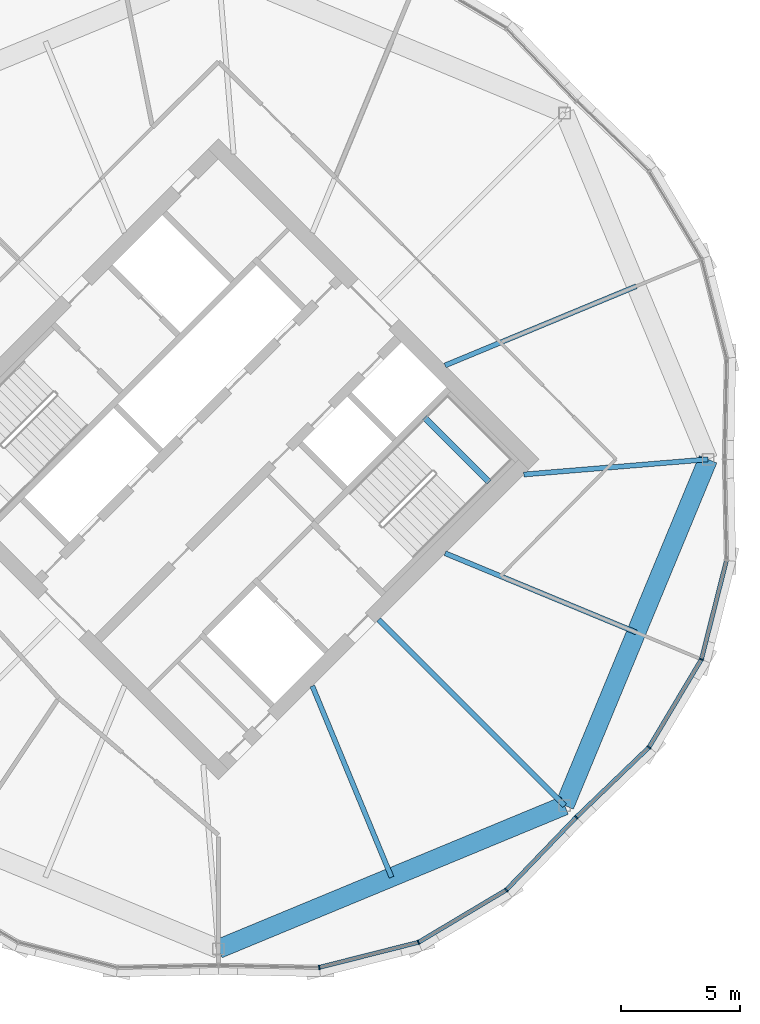
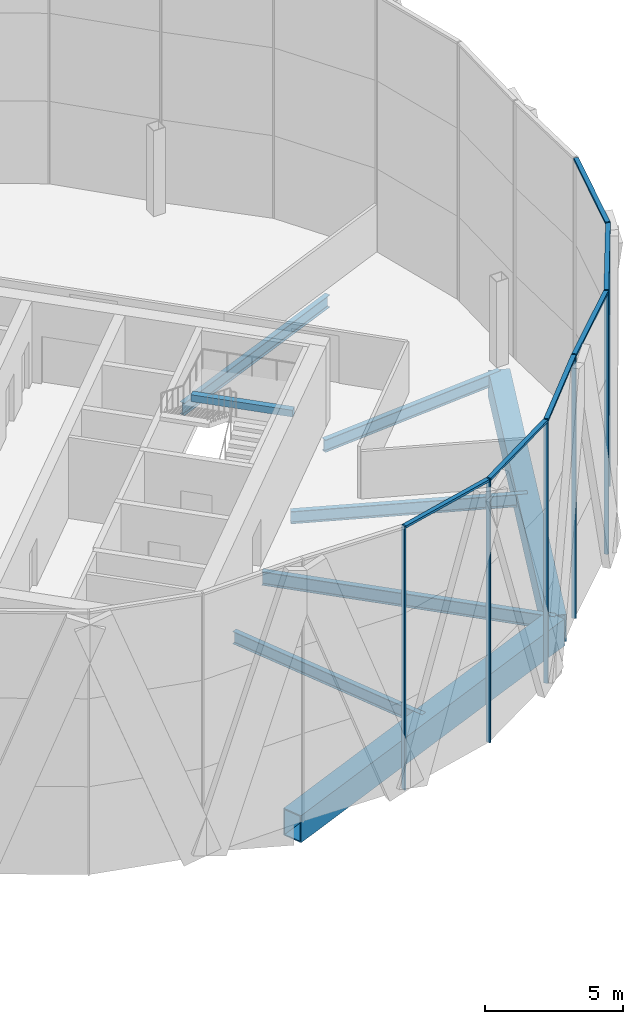
# One storey, part 11 of 25: 12 members, 8 beams, 2 elements without a shape of their own.
"""IFC4 building model written with IfcOpenShell, lengths in metres."""

import ifcopenshell
import ifcopenshell.guid

model = None  # the IFC model being written
_history = None  # IfcOwnerHistory: only IFC2X3 demands one
_inside = {}  # id of a spatial element -> (the spatial element, [elements in it])
_under = {}  # id of a project, library or spatial element -> (it, [spatial elements below it])
_declared = {}  # id of a project -> (the project, [libraries it declares])
_typed = {}  # id of a type object -> (the type object, [elements of that type])
_made_of = {}  # id of a material, layer set ... -> (it, [elements and type objects made of it])


def new_model(schema):
    """Start an empty IFC model of exactly this schema.

    Asked for "IFC4X3", IfcOpenShell would pick the latest addendum, in which some entities
    have other attributes; the version numbers below select the first issue.
    IFC2X3 requires an IfcOwnerHistory on every rooted entity: one is made here for all.
    """
    global model, _history
    if schema == "IFC4X3":
        model = ifcopenshell.file(schema_version=(4, 3, 0, 0))
    else:
        model = ifcopenshell.file(schema=schema)
    _inside.clear()
    _under.clear()
    _declared.clear()
    _typed.clear()
    _made_of.clear()
    _history = None
    if model.schema == "IFC2X3":
        org = make("IfcOrganization", Name="unknown")
        user = make(
            "IfcPersonAndOrganization",
            ThePerson=make("IfcPerson", FamilyName="unknown"),
            TheOrganization=org,
        )
        app = make(
            "IfcApplication",
            ApplicationDeveloper=org,
            Version="unknown",
            ApplicationFullName="unknown",
            ApplicationIdentifier="unknown",
        )
        _history = make(
            "IfcOwnerHistory",
            OwningUser=user,
            OwningApplication=app,
            ChangeAction="ADDED",
            CreationDate=0,
        )
    return model


def make(cls, **values):
    """One entity of the class cls with the attributes given. An attribute that is None is left unset."""
    return model.create_entity(
        cls, **{name: value for name, value in values.items() if value is not None}
    )


def rooted(cls, **values):
    """An entity with a GlobalId (a new one), such as an element, a storey or a relation."""
    return make(cls, GlobalId=ifcopenshell.guid.new(), OwnerHistory=_history, **values)


def si_unit(unit_type, name, prefix=None):
    """IfcSIUnit, for example si_unit("LENGTHUNIT", "METRE", prefix="MILLI")."""
    return make("IfcSIUnit", UnitType=unit_type, Prefix=prefix, Name=name)


def assignment(units):
    """IfcUnitAssignment: the units of a project."""
    return None if units is None else make("IfcUnitAssignment", Units=units)


def point(xyz):
    """IfcCartesianPoint."""
    return None if xyz is None else make("IfcCartesianPoint", Coordinates=xyz)


def direction(xyz):
    """IfcDirection."""
    return None if xyz is None else make("IfcDirection", DirectionRatios=xyz)


def frame(location, z_axis=None, x_axis=None):
    """IfcAxis2Placement3D, a coordinate frame: its origin and axes. An axis left out is left unset."""
    return make(
        "IfcAxis2Placement3D",
        Location=point(location),
        Axis=direction(z_axis),
        RefDirection=direction(x_axis),
    )


def frame_2d(location, x_axis=None):
    """IfcAxis2Placement2D, a coordinate frame in the plane: its origin and x axis."""
    return make(
        "IfcAxis2Placement2D", Location=point(location), RefDirection=direction(x_axis)
    )


def origin():
    """The frame at (0, 0, 0) with its axes left unset."""
    return frame((0.0, 0.0, 0.0))


def origin_2d():
    """The frame at (0, 0) in the plane with its x axis left unset."""
    return frame_2d((0.0, 0.0))


def place(relative_to, where):
    """IfcLocalPlacement: puts the frame where relative to a parent placement (None: the world)."""
    return make(
        "IfcLocalPlacement", PlacementRelTo=relative_to, RelativePlacement=where
    )


def context(
    kind, dimensions, precision=None, world=None, true_north=None, identifier=None
):
    """IfcGeometricRepresentationContext, for example the 3D "Model" context."""
    return make(
        "IfcGeometricRepresentationContext",
        ContextIdentifier=identifier,
        ContextType=kind,
        CoordinateSpaceDimension=dimensions,
        Precision=precision,
        WorldCoordinateSystem=world,
        TrueNorth=true_north,
    )


def subcontext(parent, identifier, kind, view, scale=None):
    """IfcGeometricRepresentationSubContext, for example "Body" below "Model"."""
    return make(
        "IfcGeometricRepresentationSubContext",
        ContextIdentifier=identifier,
        ContextType=kind,
        ParentContext=parent,
        TargetScale=scale,
        TargetView=view,
    )


def project(units=None, contexts=None):
    """IfcProject with its units and contexts."""
    return rooted(
        "IfcProject",
        Name="project",
        RepresentationContexts=contexts,
        UnitsInContext=assignment(units),
    )


def spatial(cls, under=None, at=None, **own):
    """A site, building, storey or space (cls), placed at a placement, below another one or the project."""
    s = rooted(cls, ObjectPlacement=at, **own)
    if under is not None:
        _under.setdefault(under.id(), (under, []))[1].append(s)
    return s


def profile(cls, at=None, kind="AREA", **sizes):
    """A parametric profile (cls). Its sizes go by their IFC names, for example OverallWidth=200.0."""
    return make(cls, ProfileType=kind, Position=at, **sizes)


def rectangle(**sizes):
    """IfcRectangleProfileDef."""
    return profile("IfcRectangleProfileDef", **sizes)


def hollow_rectangle(**sizes):
    """IfcRectangleHollowProfileDef."""
    return profile("IfcRectangleHollowProfileDef", **sizes)


def i_section(**sizes):
    """IfcIShapeProfileDef."""
    return profile("IfcIShapeProfileDef", **sizes)


def extrude(swept, where, along, depth):
    """IfcExtrudedAreaSolid: the profile swept, set in the frame where, extruded along a direction by depth."""
    return make(
        "IfcExtrudedAreaSolid",
        SweptArea=swept,
        Position=where,
        ExtrudedDirection=direction(along),
        Depth=depth,
    )


def shape(context_of_items, identifier, shape_type, items):
    """IfcShapeRepresentation: the items that make up one representation, for example the "Body"."""
    return make(
        "IfcShapeRepresentation",
        ContextOfItems=context_of_items,
        RepresentationIdentifier=identifier,
        RepresentationType=shape_type,
        Items=items,
    )


def material(Name=None, Category=None):
    """IfcMaterial."""
    return make("IfcMaterial", Name=Name, Category=Category)


def material_profile(
    of_material, cross_section, Name=None, Category=None, Priority=None
):
    """IfcMaterialProfile: a cross section and its material."""
    return make(
        "IfcMaterialProfile",
        Name=Name,
        Material=of_material,
        Profile=cross_section,
        Priority=Priority,
        Category=Category,
    )


def profile_set(profiles, Name=None, composite=None):
    """IfcMaterialProfileSet."""
    return make(
        "IfcMaterialProfileSet",
        Name=Name,
        MaterialProfiles=profiles,
        CompositeProfile=composite,
    )


def made_of(thing, what):
    """Note that an element or type object is made of a material, layer set ...; save() writes the relation."""
    if what is not None:
        _made_of.setdefault(what.id(), (what, []))[1].append(thing)
    return thing


def type_object(cls, material=None, **own):
    """A type object (cls), such as IfcWallType, which elements share."""
    return made_of(rooted(cls, **own), material)


def element(
    cls,
    number,
    at=None,
    inside=None,
    cuts=None,
    type_object=None,
    material=None,
    context=None,
    identifier="Body",
    shape_type=None,
    held_by="IfcProductDefinitionShape",
    body=None,
    shapes=None,
    **own,
):
    """One element of the class cls, such as IfcWall. Its Tag is "e" and its number.

    at: its placement. inside: the storey or other place that contains it. cuts: it is an
    opening in that element (IfcRelVoidsElement). A single representation is given by context,
    identifier, shape_type and body (its items); several are given by shapes. held_by: the class
    of the entity that holds the representations. save() writes the other relations.
    """
    e = rooted(cls, Tag="e%d" % number, ObjectPlacement=at, **own)
    if body is not None:
        shapes = [shape(context, identifier, shape_type, body)]
    if shapes is not None:
        e.Representation = make(held_by, Representations=shapes)
    if inside is not None:
        _inside.setdefault(inside.id(), (inside, []))[1].append(e)
    if cuts is not None:
        rooted(
            "IfcRelVoidsElement", RelatingBuildingElement=cuts, RelatedOpeningElement=e
        )
    if type_object is not None:
        _typed.setdefault(type_object.id(), (type_object, []))[1].append(e)
    return made_of(e, material)


def aggregate(whole, parts):
    """IfcRelAggregates: a whole, such as a stair, and the parts it consists of."""
    return rooted("IfcRelAggregates", RelatingObject=whole, RelatedObjects=parts)


def save(model, path):
    """Write the relations noted so far, then the file.

    IfcRelAggregates (storeys below a building ...), IfcRelContainedInSpatialStructure (elements
    in a storey), IfcRelDefinesByType, IfcRelAssociatesMaterial and IfcRelDeclares: one each for
    every whole, place, type object, material and project.
    """
    for whole, parts in _under.values():
        aggregate(whole, parts)
    for where, things in _inside.values():
        rooted(
            "IfcRelContainedInSpatialStructure",
            RelatedElements=things,
            RelatingStructure=where,
        )
    for kind, things in _typed.values():
        rooted("IfcRelDefinesByType", RelatedObjects=things, RelatingType=kind)
    for what, things in _made_of.values():
        rooted("IfcRelAssociatesMaterial", RelatedObjects=things, RelatingMaterial=what)
    for by, libraries in _declared.values():
        rooted("IfcRelDeclares", RelatingContext=by, RelatedDefinitions=libraries)
    model.write(path)


model = new_model("IFC4")

# Units and contexts
model_context = context("Model", 3, precision=1e-05, world=origin(), true_north=direction((0.0, 1.0)))
body_context = subcontext(model_context, "Body", "Model", "MODEL_VIEW")
ifc_project = project(units=[si_unit("LENGTHUNIT", "METRE"), si_unit("AREAUNIT", "SQUARE_METRE"), si_unit("VOLUMEUNIT", "CUBIC_METRE"), si_unit("PLANEANGLEUNIT", "RADIAN"), si_unit("MASSUNIT", "GRAM", prefix="KILO")], contexts=[model_context])

# Site, building, storey
site_placement = place(None, origin())
site = spatial("IfcSite", under=ifc_project, at=site_placement, CompositionType="ELEMENT")
building_placement = place(site_placement, origin())
building = spatial("IfcBuilding", under=site, at=building_placement, Name="Ogive Gate Towers", CompositionType="ELEMENT")
storey_placement = place(building_placement, frame((0.0, 0.0, 196.800048828125)))
storey = spatial("IfcBuildingStorey", under=building, at=storey_placement, Name="L47", CompositionType="ELEMENT", Elevation=196.800048828125)

# Beams
ifc_material_1 = material(Name="Steel SM460", Category="steel")
ifc_material_profile_1 = material_profile(ifc_material_1, hollow_rectangle(XDim=0.800048828125, YDim=1.199951171875, WallThickness=0.050048828125, at=origin_2d()), Name="BX 1200x800x50")
ifc_profile_set_1 = profile_set([ifc_material_profile_1], Name="Steel SM460")
beam_type_1 = type_object("IfcBeamType", Name="Edge girder BX 1200x800x50", PredefinedType="BEAM", material=ifc_profile_set_1)
for number, where, z_axis, x_axis, name in (
    (1, (36.0, -20.52001953125, -0.900146484375), (0.923877006731, 0.38268953008, 0.0), (-0.38268953008, 0.923877006731, 0.0), "T2/L47/SBM018"),
    (2, (50.509765625, -14.509765625, -0.900146484375), (0.38268953008, 0.923877006731, 0.0), (-0.923877006731, 0.38268953008, 0.0), "T2/L47/SBM019"),
):
    element("IfcBeam", number, at=place(storey_placement, frame(where, z_axis=z_axis, x_axis=x_axis)), inside=storey, type_object=beam_type_1, Name=name, PredefinedType="BEAM", context=body_context, shape_type="SweptSolid", body=[
        extrude(hollow_rectangle(XDim=0.800048828125, YDim=1.199951171875, WallThickness=0.050048828125, at=origin_2d()), origin(), (0.0, 0.0, 1.0), 15.705322265625),
    ])
ifc_material_2 = material(Name="Concrete C40/50", Category="concrete")
ifc_material_profile_2 = material_profile(ifc_material_2, rectangle(XDim=0.25, YDim=0.300048828125, at=origin_2d()), Name="RC 250x300")
ifc_profile_set_2 = profile_set([ifc_material_profile_2], Name="Concrete C40/50")
beam_type_2 = type_object("IfcBeamType", Name="Landing bearer RC 250x300", PredefinedType="BEAM", material=ifc_profile_set_2)
beam_1_placement = place(storey_placement, frame((47.349609375, -0.9541015625, 1.599853515625), z_axis=(-0.707106781187, 0.707106781187, 0.0), x_axis=(-0.707106781187, -0.707106781187, 0.0)))
element("IfcBeam", 3, at=beam_1_placement, inside=storey, type_object=beam_type_2, Name="T2 L47 stair 2 landing bearer 1", PredefinedType="BEAM", context=body_context, shape_type="SweptSolid", body=[
    extrude(rectangle(XDim=0.25, YDim=0.300048828125, at=origin_2d()), origin(), (0.0, 0.0, 1.0), 3.824951171875),
])
ifc_material_3 = material(Name="Steel SM355", Category="steel")
ifc_material_profile_3 = material_profile(ifc_material_3, i_section(OverallWidth=0.2099609375, OverallDepth=0.550048828125, WebThickness=0.010986328125, FlangeThickness=0.01708984375, FilletRadius=0.02392578125, at=origin_2d()), Name="IPE 550")
ifc_profile_set_3 = profile_set([ifc_material_profile_3], Name="Steel SM355")
beam_type_3 = type_object("IfcBeamType", Name="Radial floor beam IPE 550", PredefinedType="BEAM", material=ifc_profile_set_3)
for number, where, z_axis, x_axis, name in (
    (4, (39.93505859375, -9.5, -0.574951171875), (0.382678218882, -0.92388169199, 0.0), (0.92388169199, 0.382678218882, 0.0), "T2/L47/SBM004"),
    (5, (45.5, -3.93505859375, -0.574951171875), (0.92388169199, -0.382678218882, 0.0), (0.382678218882, 0.92388169199, 0.0), "T2/L47/SBM006"),
):
    element("IfcBeam", number, at=place(storey_placement, frame(where, z_axis=z_axis, x_axis=x_axis)), inside=storey, type_object=beam_type_3, Name=name, PredefinedType="BEAM", context=body_context, shape_type="SweptSolid", body=[
        extrude(i_section(OverallWidth=0.2099609375, OverallDepth=0.550048828125, WebThickness=0.010986328125, FlangeThickness=0.01708984375, FilletRadius=0.02392578125, at=origin_2d()), origin(), (0.0, 0.0, 1.0), 8.67529296875),
    ])
beam_2_placement = place(storey_placement, frame((48.798583984375, -0.636474609375, -0.574951171875), z_axis=(0.996619898218, 0.082150949336, 0.0), x_axis=(-0.082150949336, 0.996619898218, 0.0)))
element("IfcBeam", 6, at=beam_2_placement, inside=storey, type_object=beam_type_3, Name="T2/L47/SBM007", PredefinedType="BEAM", context=body_context, shape_type="SweptSolid", body=[
    extrude(i_section(OverallWidth=0.2099609375, OverallDepth=0.550048828125, WebThickness=0.010986328125, FlangeThickness=0.01708984375, FilletRadius=0.02392578125, at=origin_2d()), origin(), (0.0, 0.0, 1.0), 7.74755859375),
])
beam_3_placement = place(storey_placement, frame((45.5, 3.93505859375, -0.574951171875), z_axis=(0.92388169199, 0.382678218882, 0.0), x_axis=(-0.382678218882, 0.92388169199, 0.0)))
element("IfcBeam", 7, at=beam_3_placement, inside=storey, type_object=beam_type_3, Name="T2/L47/SBM008", PredefinedType="BEAM", context=body_context, shape_type="SweptSolid", body=[
    extrude(i_section(OverallWidth=0.2099609375, OverallDepth=0.550048828125, WebThickness=0.010986328125, FlangeThickness=0.01708984375, FilletRadius=0.02392578125, at=origin_2d()), origin(), (0.0, 0.0, 1.0), 8.67529296875),
])
ifc_material_profile_4 = material_profile(ifc_material_3, i_section(OverallWidth=0.219970703125, OverallDepth=0.60009765625, WebThickness=0.011962890625, FlangeThickness=0.01904296875, FilletRadius=0.02392578125, at=origin_2d()), Name="IPE 600")
ifc_profile_set_4 = profile_set([ifc_material_profile_4], Name="Steel SM355")
beam_type_4 = type_object("IfcBeamType", Name="Radial floor beam IPE 600", PredefinedType="BEAM", material=ifc_profile_set_4)
beam_4_placement = place(storey_placement, frame((42.717529296875, -6.717529296875, -0.60009765625), z_axis=(0.707106781187, -0.707106781187, 0.0), x_axis=(0.707106781187, 0.707106781187, 0.0)))
element("IfcBeam", 8, at=beam_4_placement, inside=storey, type_object=beam_type_4, Name="T2/L47/SBM005", PredefinedType="BEAM", context=body_context, shape_type="SweptSolid", body=[
    extrude(i_section(OverallWidth=0.219970703125, OverallDepth=0.60009765625, WebThickness=0.011962890625, FlangeThickness=0.01904296875, FilletRadius=0.02392578125, at=origin_2d()), origin(), (0.0, 0.0, 1.0), 11.019775390625),
])

# Curtain wall, members
ifc_material_4 = material(Name="Pale metal aluminium", Category="aluminium")
curtain_wall_type = type_object("IfcCurtainWallType", Name="Tower unitised wall, high zone", PredefinedType="NOTDEFINED", material=ifc_material_4)
curtain_wall_1_placement = place(storey_placement, origin())
curtain_wall_1 = element("IfcCurtainWall", 9, at=curtain_wall_1_placement, inside=storey, type_object=curtain_wall_type, Name="CW2 T2 ECW07", PredefinedType="NOTDEFINED")
ifc_material_profile_5 = material_profile(ifc_material_4, rectangle(XDim=0.179931640625, YDim=0.06005859375, at=origin_2d()), Name="60 x 180 aluminium box")
ifc_profile_set_5 = profile_set([ifc_material_profile_5], Name="Pale metal aluminium")
member_type_1 = type_object("IfcMemberType", Name="Tower unitised wall, high zone mullion 60 x 180", PredefinedType="MULLION", material=ifc_profile_set_5)
member_1_placement = place(storey_placement, frame((40.228271484375, -21.294921875, -0.300048828125), z_axis=(0.0, 0.0, 1.0), x_axis=(0.113636730484, -0.993522366877, 0.0)))
member_1 = element("IfcMember", 10, at=member_1_placement, type_object=member_type_1, Name="CW2 mullion", PredefinedType="MULLION", context=body_context, shape_type="SweptSolid", body=[
    extrude(rectangle(XDim=0.179931640625, YDim=0.06005859375, at=origin_2d()), origin(), (0.0, 0.0, 1.0), 11.699951171875),
])
member_2_placement = place(storey_placement, frame((44.385009765625, -20.2431640625, -0.300048828125), z_axis=(0.0, 0.0, 1.0), x_axis=(0.382683432365, -0.923879532511, 0.0)))
member_2 = element("IfcMember", 11, at=member_2_placement, type_object=member_type_1, Name="CW2 mullion", PredefinedType="MULLION", context=body_context, shape_type="SweptSolid", body=[
    extrude(rectangle(XDim=0.179931640625, YDim=0.06005859375, at=origin_2d()), origin(), (0.0, 0.0, 1.0), 11.699951171875),
])
member_3_placement = place(storey_placement, frame((48.068115234375, -18.047607421875, -0.300048828125), z_axis=(0.0, 0.0, 1.0), x_axis=(0.622173100162, -0.782879705596, 0.0)))
member_3 = element("IfcMember", 12, at=member_3_placement, type_object=member_type_1, Name="CW2 mullion", PredefinedType="MULLION", context=body_context, shape_type="SweptSolid", body=[
    extrude(rectangle(XDim=0.179931640625, YDim=0.06005859375, at=origin_2d()), origin(), (0.0, 0.0, 1.0), 11.699951171875),
])
member_4_placement = place(storey_placement, frame((50.99755859375, -14.997802734375, -0.300048828125), z_axis=(0.0, 0.0, 1.0), x_axis=(0.72114385321, -0.692785351302, 0.0)))
member_4 = element("IfcMember", 13, at=member_4_placement, type_object=member_type_1, Name="CW2 mullion", PredefinedType="MULLION", context=body_context, shape_type="SweptSolid", body=[
    extrude(rectangle(XDim=0.179931640625, YDim=0.06005859375, at=origin_2d()), origin(), (0.0, 0.0, 1.0), 11.699951171875),
])

curtain_wall_2_placement = place(storey_placement, origin())
curtain_wall_2 = element("IfcCurtainWall", 14, at=curtain_wall_2_placement, inside=storey, type_object=curtain_wall_type, Name="CW2 T2 ECW08", PredefinedType="NOTDEFINED")
member_5_placement = place(storey_placement, frame((54.047607421875, -12.068115234375, -0.300048828125), z_axis=(0.0, 0.0, 1.0), x_axis=(0.782879705596, -0.622173100162, 0.0)))
member_5 = element("IfcMember", 15, at=member_5_placement, type_object=member_type_1, Name="CW2 mullion", PredefinedType="MULLION", context=body_context, shape_type="SweptSolid", body=[
    extrude(rectangle(XDim=0.179931640625, YDim=0.06005859375, at=origin_2d()), origin(), (0.0, 0.0, 1.0), 11.699951171875),
])
member_6_placement = place(storey_placement, frame((56.2431640625, -8.385009765625, -0.300048828125), z_axis=(0.0, 0.0, 1.0), x_axis=(0.923879532511, -0.382683432365, 0.0)))
member_6 = element("IfcMember", 16, at=member_6_placement, type_object=member_type_1, Name="CW2 mullion", PredefinedType="MULLION", context=body_context, shape_type="SweptSolid", body=[
    extrude(rectangle(XDim=0.179931640625, YDim=0.06005859375, at=origin_2d()), origin(), (0.0, 0.0, 1.0), 11.699951171875),
])

# Member
ifc_material_profile_6 = material_profile(ifc_material_4, rectangle(XDim=0.179931640625, YDim=0.10009765625, at=origin_2d()), Name="100 x 180 aluminium box")
ifc_profile_set_6 = profile_set([ifc_material_profile_6], Name="Pale metal aluminium")
member_type_2 = type_object("IfcMemberType", Name="Tower unitised wall, high zone transom 100 x 180", PredefinedType="USERDEFINED", material=ifc_profile_set_6)
member_7_placement = place(storey_placement, frame((40.255859375, -21.28759765625, 11.349853515625), z_axis=(0.969459806068, 0.245250248559, 0.0), x_axis=(-0.245250248559, 0.969459806068, 0.0)))
member_7 = element("IfcMember", 17, at=member_7_placement, type_object=member_type_2, Name="CW2 transom", ObjectType="TRANSOM", PredefinedType="USERDEFINED", context=body_context, shape_type="SweptSolid", body=[
    extrude(rectangle(XDim=0.179931640625, YDim=0.10009765625, at=origin_2d()), origin(), (0.0, 0.0, 1.0), 4.230712890625),
])

member_8_placement = place(storey_placement, frame((44.409423828125, -20.228515625, 11.349853515625), z_axis=(0.858950879232, 0.512057991899, 0.0), x_axis=(-0.512057991899, 0.858950879232, 0.0)))
member_8 = element("IfcMember", 18, at=member_8_placement, type_object=member_type_2, Name="CW2 transom", ObjectType="TRANSOM", PredefinedType="USERDEFINED", context=body_context, shape_type="SweptSolid", body=[
    extrude(rectangle(XDim=0.179931640625, YDim=0.10009765625, at=origin_2d()), origin(), (0.0, 0.0, 1.0), 4.23046875),
])

member_9_placement = place(storey_placement, frame((48.087890625, -18.02685546875, 11.349853515625), z_axis=(0.692766996426, 0.721161485843, 0.0), x_axis=(-0.721161485843, 0.692766996426, 0.0)))
member_9 = element("IfcMember", 19, at=member_9_placement, type_object=member_type_2, Name="CW2 transom", ObjectType="TRANSOM", PredefinedType="USERDEFINED", context=body_context, shape_type="SweptSolid", body=[
    extrude(rectangle(XDim=0.179931640625, YDim=0.10009765625, at=origin_2d()), origin(), (0.0, 0.0, 1.0), 4.170166015625),
])

aggregate(curtain_wall_1, [member_1, member_2, member_7, member_3, member_8, member_4, member_9])

member_10_placement = place(storey_placement, frame((51.01953125, -14.976806640625, 11.349853515625), z_axis=(0.721161485843, 0.692766996426, 0.0), x_axis=(-0.692766996426, 0.721161485843, 0.0)))
member_10 = element("IfcMember", 20, at=member_10_placement, type_object=member_type_2, Name="CW2 transom", ObjectType="TRANSOM", PredefinedType="USERDEFINED", context=body_context, shape_type="SweptSolid", body=[
    extrude(rectangle(XDim=0.179931640625, YDim=0.10009765625, at=origin_2d()), origin(), (0.0, 0.0, 1.0), 4.170166015625),
])

member_11_placement = place(storey_placement, frame((54.062255859375, -12.043212890625, 11.349853515625), z_axis=(0.512057991899, 0.858950879232, 0.0), x_axis=(-0.858950879232, 0.512057991899, 0.0)))
member_11 = element("IfcMember", 21, at=member_11_placement, type_object=member_type_2, Name="CW2 transom", ObjectType="TRANSOM", PredefinedType="USERDEFINED", context=body_context, shape_type="SweptSolid", body=[
    extrude(rectangle(XDim=0.179931640625, YDim=0.10009765625, at=origin_2d()), origin(), (0.0, 0.0, 1.0), 4.23046875),
])

member_12_placement = place(storey_placement, frame((56.25, -8.357421875, 11.349853515625), z_axis=(0.245250248559, 0.969459806068, 0.0), x_axis=(-0.969459806068, 0.245250248559, 0.0)))
member_12 = element("IfcMember", 22, at=member_12_placement, type_object=member_type_2, Name="CW2 transom", ObjectType="TRANSOM", PredefinedType="USERDEFINED", context=body_context, shape_type="SweptSolid", body=[
    extrude(rectangle(XDim=0.179931640625, YDim=0.10009765625, at=origin_2d()), origin(), (0.0, 0.0, 1.0), 4.230712890625),
])

aggregate(curtain_wall_2, [member_5, member_10, member_6, member_11, member_12])

save(model, "model.ifc")
